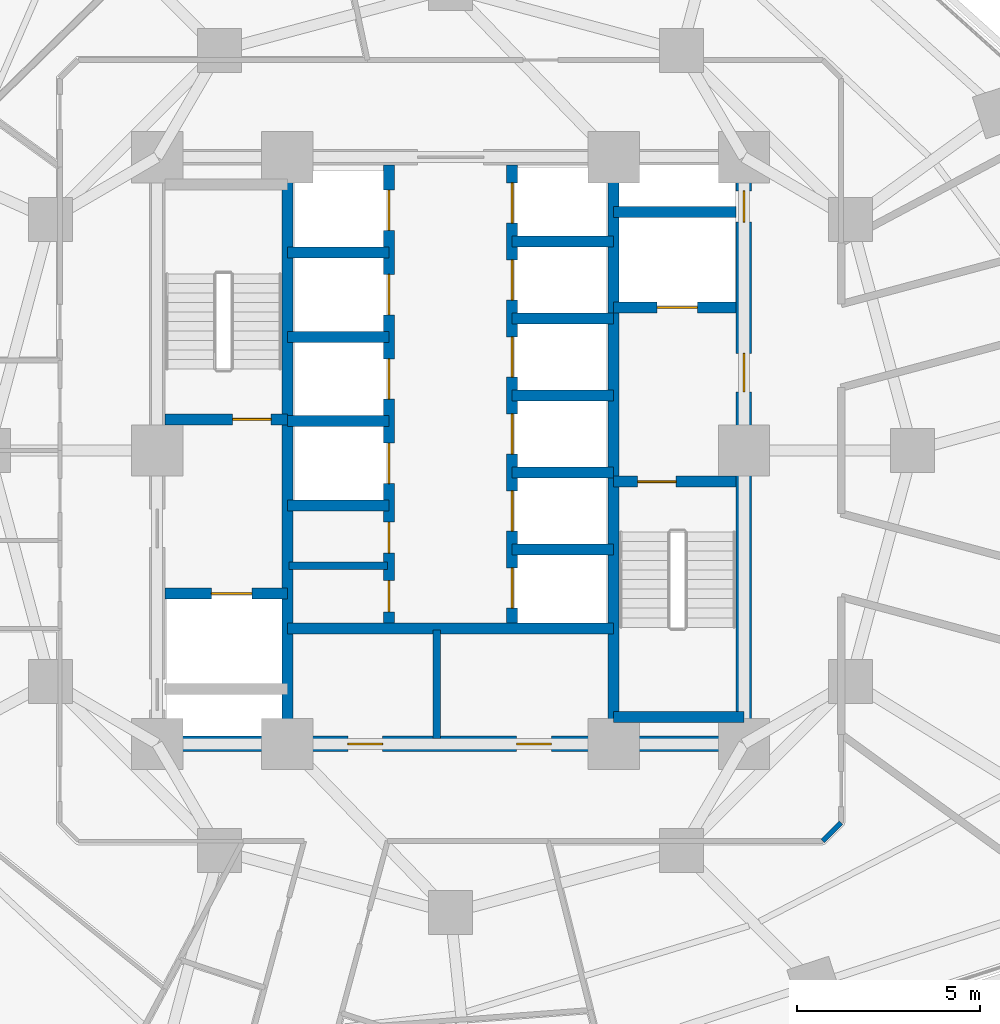
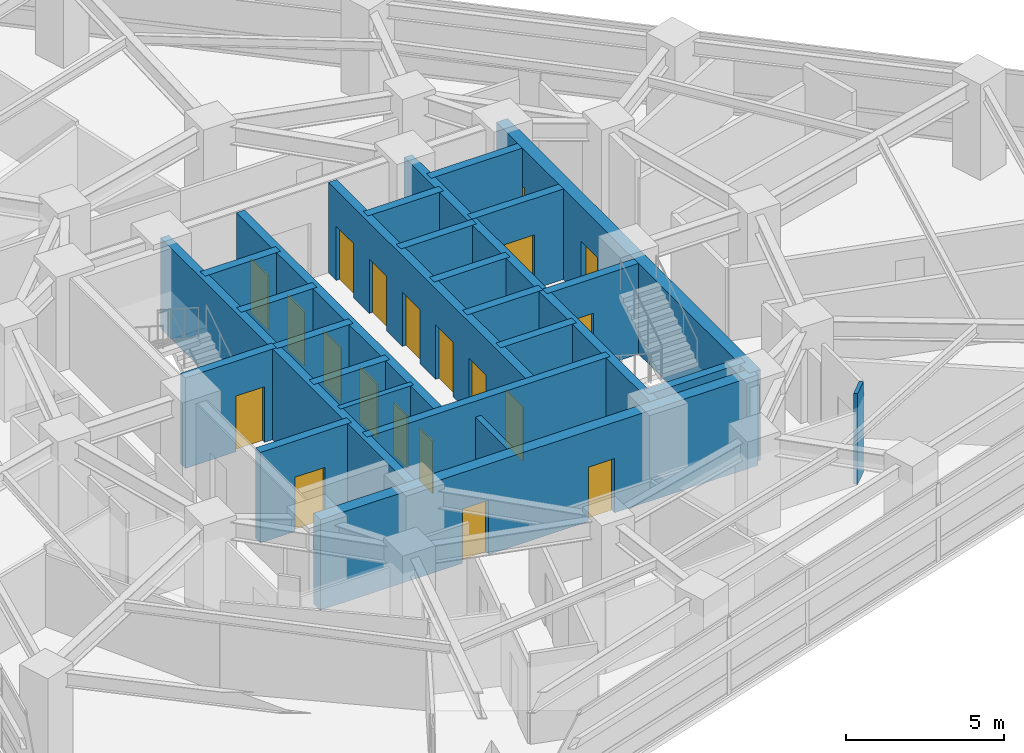
# One storey, part 8 of 14: 25 walls, 20 doors, 20 openings.
"""IFC4 building model written with IfcOpenShell, lengths in metres."""

import ifcopenshell
import ifcopenshell.guid

model = None  # the IFC model being written
_history = None  # IfcOwnerHistory: only IFC2X3 demands one
_inside = {}  # id of a spatial element -> (the spatial element, [elements in it])
_under = {}  # id of a project, library or spatial element -> (it, [spatial elements below it])
_declared = {}  # id of a project -> (the project, [libraries it declares])
_typed = {}  # id of a type object -> (the type object, [elements of that type])
_made_of = {}  # id of a material, layer set ... -> (it, [elements and type objects made of it])


def new_model(schema):
    """Start an empty IFC model of exactly this schema.

    Asked for "IFC4X3", IfcOpenShell would pick the latest addendum, in which some entities
    have other attributes; the version numbers below select the first issue.
    IFC2X3 requires an IfcOwnerHistory on every rooted entity: one is made here for all.
    """
    global model, _history
    if schema == "IFC4X3":
        model = ifcopenshell.file(schema_version=(4, 3, 0, 0))
    else:
        model = ifcopenshell.file(schema=schema)
    _inside.clear()
    _under.clear()
    _declared.clear()
    _typed.clear()
    _made_of.clear()
    _history = None
    if model.schema == "IFC2X3":
        org = make("IfcOrganization", Name="unknown")
        user = make(
            "IfcPersonAndOrganization",
            ThePerson=make("IfcPerson", FamilyName="unknown"),
            TheOrganization=org,
        )
        app = make(
            "IfcApplication",
            ApplicationDeveloper=org,
            Version="unknown",
            ApplicationFullName="unknown",
            ApplicationIdentifier="unknown",
        )
        _history = make(
            "IfcOwnerHistory",
            OwningUser=user,
            OwningApplication=app,
            ChangeAction="ADDED",
            CreationDate=0,
        )
    return model


def make(cls, **values):
    """One entity of the class cls with the attributes given. An attribute that is None is left unset."""
    return model.create_entity(
        cls, **{name: value for name, value in values.items() if value is not None}
    )


def rooted(cls, **values):
    """An entity with a GlobalId (a new one), such as an element, a storey or a relation."""
    return make(cls, GlobalId=ifcopenshell.guid.new(), OwnerHistory=_history, **values)


def si_unit(unit_type, name, prefix=None):
    """IfcSIUnit, for example si_unit("LENGTHUNIT", "METRE", prefix="MILLI")."""
    return make("IfcSIUnit", UnitType=unit_type, Prefix=prefix, Name=name)


def assignment(units):
    """IfcUnitAssignment: the units of a project."""
    return None if units is None else make("IfcUnitAssignment", Units=units)


def point(xyz):
    """IfcCartesianPoint."""
    return None if xyz is None else make("IfcCartesianPoint", Coordinates=xyz)


def direction(xyz):
    """IfcDirection."""
    return None if xyz is None else make("IfcDirection", DirectionRatios=xyz)


def frame(location, z_axis=None, x_axis=None):
    """IfcAxis2Placement3D, a coordinate frame: its origin and axes. An axis left out is left unset."""
    return make(
        "IfcAxis2Placement3D",
        Location=point(location),
        Axis=direction(z_axis),
        RefDirection=direction(x_axis),
    )


def frame_2d(location, x_axis=None):
    """IfcAxis2Placement2D, a coordinate frame in the plane: its origin and x axis."""
    return make(
        "IfcAxis2Placement2D", Location=point(location), RefDirection=direction(x_axis)
    )


def origin():
    """The frame at (0, 0, 0) with its axes left unset."""
    return frame((0.0, 0.0, 0.0))


def place(relative_to, where):
    """IfcLocalPlacement: puts the frame where relative to a parent placement (None: the world)."""
    return make(
        "IfcLocalPlacement", PlacementRelTo=relative_to, RelativePlacement=where
    )


def context(
    kind, dimensions, precision=None, world=None, true_north=None, identifier=None
):
    """IfcGeometricRepresentationContext, for example the 3D "Model" context."""
    return make(
        "IfcGeometricRepresentationContext",
        ContextIdentifier=identifier,
        ContextType=kind,
        CoordinateSpaceDimension=dimensions,
        Precision=precision,
        WorldCoordinateSystem=world,
        TrueNorth=true_north,
    )


def subcontext(parent, identifier, kind, view, scale=None):
    """IfcGeometricRepresentationSubContext, for example "Body" below "Model"."""
    return make(
        "IfcGeometricRepresentationSubContext",
        ContextIdentifier=identifier,
        ContextType=kind,
        ParentContext=parent,
        TargetScale=scale,
        TargetView=view,
    )


def project(units=None, contexts=None):
    """IfcProject with its units and contexts."""
    return rooted(
        "IfcProject",
        Name="project",
        RepresentationContexts=contexts,
        UnitsInContext=assignment(units),
    )


def spatial(cls, under=None, at=None, **own):
    """A site, building, storey or space (cls), placed at a placement, below another one or the project."""
    s = rooted(cls, ObjectPlacement=at, **own)
    if under is not None:
        _under.setdefault(under.id(), (under, []))[1].append(s)
    return s


def profile(cls, at=None, kind="AREA", **sizes):
    """A parametric profile (cls). Its sizes go by their IFC names, for example OverallWidth=200.0."""
    return make(cls, ProfileType=kind, Position=at, **sizes)


def rectangle(**sizes):
    """IfcRectangleProfileDef."""
    return profile("IfcRectangleProfileDef", **sizes)


def extrude(swept, where, along, depth):
    """IfcExtrudedAreaSolid: the profile swept, set in the frame where, extruded along a direction by depth."""
    return make(
        "IfcExtrudedAreaSolid",
        SweptArea=swept,
        Position=where,
        ExtrudedDirection=direction(along),
        Depth=depth,
    )


def shape(context_of_items, identifier, shape_type, items):
    """IfcShapeRepresentation: the items that make up one representation, for example the "Body"."""
    return make(
        "IfcShapeRepresentation",
        ContextOfItems=context_of_items,
        RepresentationIdentifier=identifier,
        RepresentationType=shape_type,
        Items=items,
    )


def material(Name=None, Category=None):
    """IfcMaterial."""
    return make("IfcMaterial", Name=Name, Category=Category)


def layer(
    of_material, thickness, ventilated=None, Name=None, Category=None, Priority=None
):
    """IfcMaterialLayer: one layer of a wall or slab, of a material (None: an air gap)."""
    return make(
        "IfcMaterialLayer",
        Material=of_material,
        LayerThickness=thickness,
        IsVentilated=ventilated,
        Name=Name,
        Category=Category,
        Priority=Priority,
    )


def layer_set(layers, Name=None):
    """IfcMaterialLayerSet."""
    return make("IfcMaterialLayerSet", MaterialLayers=layers, LayerSetName=Name)


def made_of(thing, what):
    """Note that an element or type object is made of a material, layer set ...; save() writes the relation."""
    if what is not None:
        _made_of.setdefault(what.id(), (what, []))[1].append(thing)
    return thing


def type_object(cls, material=None, **own):
    """A type object (cls), such as IfcWallType, which elements share."""
    return made_of(rooted(cls, **own), material)


def element(
    cls,
    number,
    at=None,
    inside=None,
    cuts=None,
    type_object=None,
    material=None,
    context=None,
    identifier="Body",
    shape_type=None,
    held_by="IfcProductDefinitionShape",
    body=None,
    shapes=None,
    **own,
):
    """One element of the class cls, such as IfcWall. Its Tag is "e" and its number.

    at: its placement. inside: the storey or other place that contains it. cuts: it is an
    opening in that element (IfcRelVoidsElement). A single representation is given by context,
    identifier, shape_type and body (its items); several are given by shapes. held_by: the class
    of the entity that holds the representations. save() writes the other relations.
    """
    e = rooted(cls, Tag="e%d" % number, ObjectPlacement=at, **own)
    if body is not None:
        shapes = [shape(context, identifier, shape_type, body)]
    if shapes is not None:
        e.Representation = make(held_by, Representations=shapes)
    if inside is not None:
        _inside.setdefault(inside.id(), (inside, []))[1].append(e)
    if cuts is not None:
        rooted(
            "IfcRelVoidsElement", RelatingBuildingElement=cuts, RelatedOpeningElement=e
        )
    if type_object is not None:
        _typed.setdefault(type_object.id(), (type_object, []))[1].append(e)
    return made_of(e, material)


def fill(opening, filler):
    """IfcRelFillsElement: the door or window that sits in an opening."""
    return rooted(
        "IfcRelFillsElement",
        RelatingOpeningElement=opening,
        RelatedBuildingElement=filler,
    )


def aggregate(whole, parts):
    """IfcRelAggregates: a whole, such as a stair, and the parts it consists of."""
    return rooted("IfcRelAggregates", RelatingObject=whole, RelatedObjects=parts)


def save(model, path):
    """Write the relations noted so far, then the file.

    IfcRelAggregates (storeys below a building ...), IfcRelContainedInSpatialStructure (elements
    in a storey), IfcRelDefinesByType, IfcRelAssociatesMaterial and IfcRelDeclares: one each for
    every whole, place, type object, material and project.
    """
    for whole, parts in _under.values():
        aggregate(whole, parts)
    for where, things in _inside.values():
        rooted(
            "IfcRelContainedInSpatialStructure",
            RelatedElements=things,
            RelatingStructure=where,
        )
    for kind, things in _typed.values():
        rooted("IfcRelDefinesByType", RelatedObjects=things, RelatingType=kind)
    for what, things in _made_of.values():
        rooted("IfcRelAssociatesMaterial", RelatedObjects=things, RelatingMaterial=what)
    for by, libraries in _declared.values():
        rooted("IfcRelDeclares", RelatingContext=by, RelatedDefinitions=libraries)
    model.write(path)


model = new_model("IFC4")

# Units and contexts
model_context = context("Model", 3, precision=1e-05, world=origin(), true_north=direction((0.0, 1.0)))
body_context = subcontext(model_context, "Body", "Model", "MODEL_VIEW")
ifc_project = project(units=[si_unit("LENGTHUNIT", "METRE"), si_unit("AREAUNIT", "SQUARE_METRE"), si_unit("VOLUMEUNIT", "CUBIC_METRE"), si_unit("PLANEANGLEUNIT", "RADIAN"), si_unit("MASSUNIT", "GRAM", prefix="KILO")], contexts=[model_context])

# Site, building, storey
site_placement = place(None, origin())
site = spatial("IfcSite", under=ifc_project, at=site_placement, CompositionType="ELEMENT")
building_placement = place(site_placement, origin())
building = spatial("IfcBuilding", under=site, at=building_placement, Name="Terralouvre Media Tower", CompositionType="ELEMENT")
storey_placement = place(building_placement, frame((0.0, 0.0, 97.699951171875)))
storey = spatial("IfcBuildingStorey", under=building, at=storey_placement, Name="L24", CompositionType="ELEMENT", Elevation=97.699951171875)

# Walls
ifc_material_1 = material(Name="Concrete C50/60", Category="concrete")
ifc_layer_1 = layer(ifc_material_1, 0.300048828125, Name="Core Internal Shaft Wall CW-300")
ifc_layer_set_1 = layer_set([ifc_layer_1], Name="Concrete C50/60")
wall_type_1 = type_object("IfcWallType", Name="Core Internal Shaft Wall CW-300", PredefinedType="SHEAR", material=ifc_layer_set_1)
for number, where, z_axis, x_axis, name in (
    (1, (-4.449951171875, -7.7900390625, 0.0), (0.0, 0.0, 1.0), (0.0, 1.0, 0.0), "L24 Core Shaft Wall SPW"),
    (2, (4.449951171875, -7.7900390625, 0.0), (0.0, 0.0, 1.0), (0.0, 1.0, 0.0), "L24 Core Shaft Wall SPE"),
):
    element("IfcWall", number, at=place(storey_placement, frame(where, z_axis=z_axis, x_axis=x_axis)), inside=storey, type_object=wall_type_1, Name=name, PredefinedType="SHEAR", context=body_context, shape_type="SweptSolid", body=[
        extrude(rectangle(XDim=15.580078125, YDim=0.300048828125, at=frame_2d((7.7900390625, 0.0))), origin(), (0.0, 0.0, 1.0), 3.5),
    ])

# Wall, opening, door
wall_1_placement = place(storey_placement, frame((-7.7900390625, 0.85009765625, 0.0), z_axis=(0.0, 0.0, 1.0), x_axis=(1.0, 0.0, 0.0)))
wall_1 = element("IfcWall", 3, at=wall_1_placement, inside=storey, type_object=wall_type_1, Name="L24 Core Shaft Wall ST1D", PredefinedType="SHEAR", context=body_context, shape_type="SweptSolid", body=[
    extrude(rectangle(XDim=3.340087890625, YDim=0.300048828125, at=frame_2d((1.669921875, 0.0))), origin(), (0.0, 0.0, 1.0), 3.5),
])
opening_1_placement = place(wall_1_placement, frame((1.85009765625, 0.0, 0.0)))
opening_1 = element("IfcOpeningElement", 4, at=opening_1_placement, cuts=wall_1, Name="Opening FD-01-105X215", PredefinedType="OPENING", context=body_context, shape_type="SweptSolid", body=[
    extrude(rectangle(XDim=1.050048828125, YDim=2.14990234375, at=frame_2d((0.52490234375, 1.074951171875))), frame((0.0, 0.159912109375, 0.0), z_axis=(0.0, -1.0, 0.0), x_axis=(1.0, 0.0, 0.0)), (0.0, 0.0, 1.0), 0.320068359375),
])
ifc_material_2 = material(Name="Galvanised steel fire-resisting leaf", Category="steel")
door_type_1 = type_object("IfcDoorType", Name="Stair and Firefighting Lobby Fire Door FD-01 (1050x2150)", OperationType="NOTDEFINED", PredefinedType="DOOR", material=ifc_material_2)
door_1_placement = place(opening_1_placement, origin())
door_1 = element("IfcDoor", 5, at=door_1_placement, inside=storey, type_object=door_type_1, Name="L24 ST-01 Exit Stair Door", OperationType="SINGLE_SWING_LEFT", OverallHeight=2.14990234375, OverallWidth=1.050048828125, PredefinedType="DOOR", context=body_context, shape_type="SweptSolid", body=[
    extrude(rectangle(XDim=1.050048828125, YDim=2.14990234375, at=frame_2d((0.52490234375, 1.074951171875))), frame((0.0, 0.02490234375, 0.0), z_axis=(0.0, -1.0, 0.0), x_axis=(1.0, 0.0, 0.0)), (0.0, 0.0, 1.0), 0.050048828125),
])
fill(opening_1, door_1)

wall_2_placement = place(storey_placement, frame((4.449951171875, -0.85009765625, 0.0), z_axis=(0.0, 0.0, 1.0), x_axis=(1.0, 0.0, 0.0)))
wall_2 = element("IfcWall", 6, at=wall_2_placement, inside=storey, type_object=wall_type_1, Name="L24 Core Shaft Wall ST2D", PredefinedType="SHEAR", context=body_context, shape_type="SweptSolid", body=[
    extrude(rectangle(XDim=3.340087890625, YDim=0.300048828125, at=frame_2d((1.669921875, 0.0))), origin(), (0.0, 0.0, 1.0), 3.5),
])
opening_2_placement = place(wall_2_placement, frame((0.64990234375, 0.0, 0.0)))
opening_2 = element("IfcOpeningElement", 7, at=opening_2_placement, cuts=wall_2, Name="Opening FD-01-105X215", PredefinedType="OPENING", context=body_context, shape_type="SweptSolid", body=[
    extrude(rectangle(XDim=1.050048828125, YDim=2.14990234375, at=frame_2d((0.52490234375, 1.074951171875))), frame((0.0, 0.159912109375, 0.0), z_axis=(0.0, -1.0, 0.0), x_axis=(1.0, 0.0, 0.0)), (0.0, 0.0, 1.0), 0.320068359375),
])
door_2_placement = place(opening_2_placement, origin())
door_2 = element("IfcDoor", 8, at=door_2_placement, inside=storey, type_object=door_type_1, Name="L24 ST-02 Exit Stair Door", OperationType="SINGLE_SWING_RIGHT", OverallHeight=2.14990234375, OverallWidth=1.050048828125, PredefinedType="DOOR", context=body_context, shape_type="SweptSolid", body=[
    extrude(rectangle(XDim=1.050048828125, YDim=2.14990234375, at=frame_2d((0.52490234375, 1.074951171875))), frame((0.0, 0.02490234375, 0.0), z_axis=(0.0, -1.0, 0.0), x_axis=(1.0, 0.0, 0.0)), (0.0, 0.0, 1.0), 0.050048828125),
])
fill(opening_2, door_2)

# Wall
wall_3_placement = place(storey_placement, frame((4.449951171875, -7.260009765625, 0.0), z_axis=(0.0, 0.0, 1.0), x_axis=(1.0, 0.0, 0.0)))
element("IfcWall", 9, at=wall_3_placement, inside=storey, type_object=wall_type_1, Name="L24 Core Shaft Wall ST2F", PredefinedType="SHEAR", context=body_context, shape_type="SweptSolid", body=[
    extrude(rectangle(XDim=3.550048828125, YDim=0.300048828125, at=frame_2d((1.77490234375, 0.0))), origin(), (0.0, 0.0, 1.0), 3.5),
])

# Wall, opening, door
wall_4_placement = place(storey_placement, frame((-7.7900390625, -3.89990234375, 0.0), z_axis=(0.0, 0.0, 1.0), x_axis=(1.0, 0.0, 0.0)))
wall_4 = element("IfcWall", 10, at=wall_4_placement, inside=storey, type_object=wall_type_1, Name="L24 Core Shaft Wall FF1N", PredefinedType="SHEAR", context=body_context, shape_type="SweptSolid", body=[
    extrude(rectangle(XDim=3.340087890625, YDim=0.300048828125, at=frame_2d((1.669921875, 0.0))), origin(), (0.0, 0.0, 1.0), 3.5),
])
opening_3_placement = place(wall_4_placement, frame((1.27001953125, 0.0, 0.0)))
opening_3 = element("IfcOpeningElement", 11, at=opening_3_placement, cuts=wall_4, Name="Opening LD-FF", PredefinedType="OPENING", context=body_context, shape_type="SweptSolid", body=[
    extrude(rectangle(XDim=1.10009765625, YDim=2.10009765625, at=frame_2d((0.550048828125, 1.050048828125))), frame((0.0, 0.159912109375, 0.0), z_axis=(0.0, -1.0, 0.0), x_axis=(1.0, 0.0, 0.0)), (0.0, 0.0, 1.0), 0.320068359375),
])
ifc_material_3 = material(Name="Stainless steel 316 handrail and balustrade", Category="steel")
door_type_2 = type_object("IfcDoorType", Name="Firefighting Lift Sliding Landing Door LD-FF", OperationType="SLIDING_TO_LEFT", PredefinedType="DOOR", material=ifc_material_3)
door_3_placement = place(opening_3_placement, origin())
door_3 = element("IfcDoor", 12, at=door_3_placement, inside=storey, type_object=door_type_2, Name="L24 Firefighting Lift FFL-01 Landing Door", OperationType="SLIDING_TO_LEFT", OverallHeight=2.10009765625, OverallWidth=1.10009765625, PredefinedType="DOOR", context=body_context, shape_type="SweptSolid", body=[
    extrude(rectangle(XDim=1.10009765625, YDim=2.10009765625, at=frame_2d((0.550048828125, 1.050048828125))), frame((0.0, 0.02490234375, 0.0), z_axis=(0.0, -1.0, 0.0), x_axis=(1.0, 0.0, 0.0)), (0.0, 0.0, 1.0), 0.050048828125),
])
fill(opening_3, door_3)

wall_5_placement = place(storey_placement, frame((4.449951171875, 3.89990234375, 0.0), z_axis=(0.0, 0.0, 1.0), x_axis=(1.0, 0.0, 0.0)))
wall_5 = element("IfcWall", 13, at=wall_5_placement, inside=storey, type_object=wall_type_1, Name="L24 Core Shaft Wall FF2S", PredefinedType="SHEAR", context=body_context, shape_type="SweptSolid", body=[
    extrude(rectangle(XDim=3.340087890625, YDim=0.300048828125, at=frame_2d((1.669921875, 0.0))), origin(), (0.0, 0.0, 1.0), 3.5),
])
opening_4_placement = place(wall_5_placement, frame((1.179931640625, 0.0, 0.0)))
opening_4 = element("IfcOpeningElement", 14, at=opening_4_placement, cuts=wall_5, Name="Opening LD-FF", PredefinedType="OPENING", context=body_context, shape_type="SweptSolid", body=[
    extrude(rectangle(XDim=1.10009765625, YDim=2.10009765625, at=frame_2d((0.550048828125, 1.050048828125))), frame((0.0, 0.159912109375, 0.0), z_axis=(0.0, -1.0, 0.0), x_axis=(1.0, 0.0, 0.0)), (0.0, 0.0, 1.0), 0.320068359375),
])
door_4_placement = place(opening_4_placement, origin())
door_4 = element("IfcDoor", 15, at=door_4_placement, inside=storey, type_object=door_type_2, Name="L24 Firefighting Lift FFL-02 Landing Door", OperationType="SLIDING_TO_LEFT", OverallHeight=2.10009765625, OverallWidth=1.10009765625, PredefinedType="DOOR", context=body_context, shape_type="SweptSolid", body=[
    extrude(rectangle(XDim=1.10009765625, YDim=2.10009765625, at=frame_2d((0.550048828125, 1.050048828125))), frame((0.0, 0.02490234375, 0.0), z_axis=(0.0, -1.0, 0.0), x_axis=(1.0, 0.0, 0.0)), (0.0, 0.0, 1.0), 0.050048828125),
])
fill(opening_4, door_4)

# Walls
wall_6_placement = place(storey_placement, frame((4.449951171875, 6.5, 0.0), z_axis=(0.0, 0.0, 1.0), x_axis=(1.0, 0.0, 0.0)))
element("IfcWall", 16, at=wall_6_placement, inside=storey, type_object=wall_type_1, Name="L24 Core Shaft Wall FF2N", PredefinedType="SHEAR", context=body_context, shape_type="SweptSolid", body=[
    extrude(rectangle(XDim=3.340087890625, YDim=0.300048828125, at=frame_2d((1.669921875, 0.0))), origin(), (0.0, 0.0, 1.0), 3.5),
])
wall_7_placement = place(storey_placement, frame((-4.449951171875, -4.85009765625, 0.0), z_axis=(0.0, 0.0, 1.0), x_axis=(1.0, 0.0, 0.0)))
element("IfcWall", 17, at=wall_7_placement, inside=storey, type_object=wall_type_1, Name="L24 Core Shaft Wall CSBN", PredefinedType="SHEAR", context=body_context, shape_type="SweptSolid", body=[
    extrude(rectangle(XDim=8.89990234375, YDim=0.300048828125, at=frame_2d((4.449951171875, 0.0))), origin(), (0.0, 0.0, 1.0), 3.5),
])

# Wall, openings, doors
wall_8_placement = place(storey_placement, frame((-1.679931640625, -4.85009765625, 0.0), z_axis=(0.0, 0.0, 1.0), x_axis=(0.0, 1.0, 0.0)))
wall_8 = element("IfcWall", 18, at=wall_8_placement, inside=storey, type_object=wall_type_1, Name="L24 Core Shaft Wall LBW", PredefinedType="SHEAR", context=body_context, shape_type="SweptSolid", body=[
    extrude(rectangle(XDim=12.64013671875, YDim=0.300048828125, at=frame_2d((6.320068359375, 0.0))), origin(), (0.0, 0.0, 1.0), 3.5),
])
opening_5_placement = place(wall_8_placement, frame((3.949951171875, 0.0, 0.0)))
opening_5 = element("IfcOpeningElement", 19, at=opening_5_placement, cuts=wall_8, Name="Opening LD-PL", PredefinedType="OPENING", context=body_context, shape_type="SweptSolid", body=[
    extrude(rectangle(XDim=1.10009765625, YDim=2.10009765625, at=frame_2d((0.550048828125, 1.050048828125))), frame((0.0, 0.159912109375, 0.0), z_axis=(0.0, -1.0, 0.0), x_axis=(1.0, 0.0, 0.0)), (0.0, 0.0, 1.0), 0.320068359375),
])
opening_6_placement = place(wall_8_placement, frame((6.25, 0.0, 0.0)))
opening_6 = element("IfcOpeningElement", 20, at=opening_6_placement, cuts=wall_8, Name="Opening LD-PL", PredefinedType="OPENING", context=body_context, shape_type="SweptSolid", body=[
    extrude(rectangle(XDim=1.10009765625, YDim=2.10009765625, at=frame_2d((0.550048828125, 1.050048828125))), frame((0.0, 0.159912109375, 0.0), z_axis=(0.0, -1.0, 0.0), x_axis=(1.0, 0.0, 0.0)), (0.0, 0.0, 1.0), 0.320068359375),
])
opening_7_placement = place(wall_8_placement, frame((8.550048828125, 0.0, 0.0)))
opening_7 = element("IfcOpeningElement", 21, at=opening_7_placement, cuts=wall_8, Name="Opening LD-PL", PredefinedType="OPENING", context=body_context, shape_type="SweptSolid", body=[
    extrude(rectangle(XDim=1.10009765625, YDim=2.10009765625, at=frame_2d((0.550048828125, 1.050048828125))), frame((0.0, 0.159912109375, 0.0), z_axis=(0.0, -1.0, 0.0), x_axis=(1.0, 0.0, 0.0)), (0.0, 0.0, 1.0), 0.320068359375),
])
opening_8_placement = place(wall_8_placement, frame((10.85009765625, 0.0, 0.0)))
opening_8 = element("IfcOpeningElement", 22, at=opening_8_placement, cuts=wall_8, Name="Opening LD-PL", PredefinedType="OPENING", context=body_context, shape_type="SweptSolid", body=[
    extrude(rectangle(XDim=1.10009765625, YDim=2.10009765625, at=frame_2d((0.550048828125, 1.050048828125))), frame((0.0, 0.159912109375, 0.0), z_axis=(0.0, -1.0, 0.0), x_axis=(1.0, 0.0, 0.0)), (0.0, 0.0, 1.0), 0.320068359375),
])
opening_9_placement = place(wall_8_placement, frame((0.449951171875, 0.0, 0.0)))
opening_9 = element("IfcOpeningElement", 23, at=opening_9_placement, cuts=wall_8, Name="Opening TD-R1", PredefinedType="OPENING", context=body_context, shape_type="SweptSolid", body=[
    extrude(rectangle(XDim=0.85009765625, YDim=2.02001953125, at=frame_2d((0.425048828125, 1.010009765625))), frame((0.0, 0.159912109375, 0.0), z_axis=(0.0, -1.0, 0.0), x_axis=(1.0, 0.0, 0.0)), (0.0, 0.0, 1.0), 0.320068359375),
])
opening_10_placement = place(wall_8_placement, frame((2.050048828125, 0.0, 0.0)))
opening_10 = element("IfcOpeningElement", 24, at=opening_10_placement, cuts=wall_8, Name="Opening TD-R1", PredefinedType="OPENING", context=body_context, shape_type="SweptSolid", body=[
    extrude(rectangle(XDim=0.85009765625, YDim=2.02001953125, at=frame_2d((0.425048828125, 1.010009765625))), frame((0.0, 0.159912109375, 0.0), z_axis=(0.0, -1.0, 0.0), x_axis=(1.0, 0.0, 0.0)), (0.0, 0.0, 1.0), 0.320068359375),
])
ifc_material_4 = material(Name="Stainless steel 316 handrail and balustrade", Category="steel")
door_type_3 = type_object("IfcDoorType", Name="Passenger Lift Sliding Landing Door LD-PL", OperationType="SLIDING_TO_LEFT", PredefinedType="DOOR", material=ifc_material_4)
door_5_placement = place(opening_5_placement, origin())
door_5 = element("IfcDoor", 25, at=door_5_placement, inside=storey, type_object=door_type_3, Name="L24 Low-Rise Lift PL-L1 Landing Door", OperationType="SLIDING_TO_LEFT", OverallHeight=2.10009765625, OverallWidth=1.10009765625, PredefinedType="DOOR", context=body_context, shape_type="SweptSolid", body=[
    extrude(rectangle(XDim=1.10009765625, YDim=2.10009765625, at=frame_2d((0.550048828125, 1.050048828125))), frame((0.0, 0.02490234375, 0.0), z_axis=(0.0, -1.0, 0.0), x_axis=(1.0, 0.0, 0.0)), (0.0, 0.0, 1.0), 0.050048828125),
])
fill(opening_5, door_5)
door_6_placement = place(opening_6_placement, origin())
door_6 = element("IfcDoor", 26, at=door_6_placement, inside=storey, type_object=door_type_3, Name="L24 Low-Rise Lift PL-L2 Landing Door", OperationType="SLIDING_TO_LEFT", OverallHeight=2.10009765625, OverallWidth=1.10009765625, PredefinedType="DOOR", context=body_context, shape_type="SweptSolid", body=[
    extrude(rectangle(XDim=1.10009765625, YDim=2.10009765625, at=frame_2d((0.550048828125, 1.050048828125))), frame((0.0, 0.02490234375, 0.0), z_axis=(0.0, -1.0, 0.0), x_axis=(1.0, 0.0, 0.0)), (0.0, 0.0, 1.0), 0.050048828125),
])
fill(opening_6, door_6)
door_7_placement = place(opening_7_placement, origin())
door_7 = element("IfcDoor", 27, at=door_7_placement, inside=storey, type_object=door_type_3, Name="L24 Low-Rise Lift PL-L3 Landing Door", OperationType="SLIDING_TO_LEFT", OverallHeight=2.10009765625, OverallWidth=1.10009765625, PredefinedType="DOOR", context=body_context, shape_type="SweptSolid", body=[
    extrude(rectangle(XDim=1.10009765625, YDim=2.10009765625, at=frame_2d((0.550048828125, 1.050048828125))), frame((0.0, 0.02490234375, 0.0), z_axis=(0.0, -1.0, 0.0), x_axis=(1.0, 0.0, 0.0)), (0.0, 0.0, 1.0), 0.050048828125),
])
fill(opening_7, door_7)
door_8_placement = place(opening_8_placement, origin())
door_8 = element("IfcDoor", 28, at=door_8_placement, inside=storey, type_object=door_type_3, Name="L24 Low-Rise Lift PL-L4 Landing Door", OperationType="SLIDING_TO_LEFT", OverallHeight=2.10009765625, OverallWidth=1.10009765625, PredefinedType="DOOR", context=body_context, shape_type="SweptSolid", body=[
    extrude(rectangle(XDim=1.10009765625, YDim=2.10009765625, at=frame_2d((0.550048828125, 1.050048828125))), frame((0.0, 0.02490234375, 0.0), z_axis=(0.0, -1.0, 0.0), x_axis=(1.0, 0.0, 0.0)), (0.0, 0.0, 1.0), 0.050048828125),
])
fill(opening_8, door_8)
ifc_material_5 = material(Name="Galvanised steel fire-resisting leaf", Category="steel")
door_type_4 = type_object("IfcDoorType", Name="Riser Inspection Access Trapdoor TD-R1", OperationType="NOTDEFINED", PredefinedType="TRAPDOOR", material=ifc_material_5)
door_9_placement = place(opening_9_placement, origin())
door_9 = element("IfcDoor", 29, at=door_9_placement, inside=storey, type_object=door_type_4, Name="L24 Core Cleaners Closet Door", OperationType="SINGLE_SWING_LEFT", OverallHeight=2.02001953125, OverallWidth=0.85009765625, PredefinedType="TRAPDOOR", context=body_context, shape_type="SweptSolid", body=[
    extrude(rectangle(XDim=0.85009765625, YDim=2.02001953125, at=frame_2d((0.425048828125, 1.010009765625))), frame((0.0, 0.02490234375, 0.0), z_axis=(0.0, -1.0, 0.0), x_axis=(1.0, 0.0, 0.0)), (0.0, 0.0, 1.0), 0.050048828125),
])
fill(opening_9, door_9)
door_10_placement = place(opening_10_placement, origin())
door_10 = element("IfcDoor", 30, at=door_10_placement, inside=storey, type_object=door_type_4, Name="L24 Core Metering Closet Door", OperationType="SINGLE_SWING_RIGHT", OverallHeight=2.02001953125, OverallWidth=0.85009765625, PredefinedType="TRAPDOOR", context=body_context, shape_type="SweptSolid", body=[
    extrude(rectangle(XDim=0.85009765625, YDim=2.02001953125, at=frame_2d((0.425048828125, 1.010009765625))), frame((0.0, 0.02490234375, 0.0), z_axis=(0.0, -1.0, 0.0), x_axis=(1.0, 0.0, 0.0)), (0.0, 0.0, 1.0), 0.050048828125),
])
fill(opening_10, door_10)

wall_9_placement = place(storey_placement, frame((1.679931640625, -4.85009765625, 0.0), z_axis=(0.0, 0.0, 1.0), x_axis=(0.0, 1.0, 0.0)))
wall_9 = element("IfcWall", 31, at=wall_9_placement, inside=storey, type_object=wall_type_1, Name="L24 Core Shaft Wall LBE", PredefinedType="SHEAR", context=body_context, shape_type="SweptSolid", body=[
    extrude(rectangle(XDim=12.64013671875, YDim=0.300048828125, at=frame_2d((6.320068359375, 0.0))), origin(), (0.0, 0.0, 1.0), 3.5),
])
opening_11_placement = place(wall_9_placement, frame((0.550048828125, 0.0, 0.0)))
opening_11 = element("IfcOpeningElement", 32, at=opening_11_placement, cuts=wall_9, Name="Opening LD-PL", PredefinedType="OPENING", context=body_context, shape_type="SweptSolid", body=[
    extrude(rectangle(XDim=1.10009765625, YDim=2.10009765625, at=frame_2d((0.550048828125, 1.050048828125))), frame((0.0, 0.159912109375, 0.0), z_axis=(0.0, -1.0, 0.0), x_axis=(1.0, 0.0, 0.0)), (0.0, 0.0, 1.0), 0.320068359375),
])
opening_12_placement = place(wall_9_placement, frame((2.64990234375, 0.0, 0.0)))
opening_12 = element("IfcOpeningElement", 33, at=opening_12_placement, cuts=wall_9, Name="Opening LD-PL", PredefinedType="OPENING", context=body_context, shape_type="SweptSolid", body=[
    extrude(rectangle(XDim=1.10009765625, YDim=2.10009765625, at=frame_2d((0.550048828125, 1.050048828125))), frame((0.0, 0.159912109375, 0.0), z_axis=(0.0, -1.0, 0.0), x_axis=(1.0, 0.0, 0.0)), (0.0, 0.0, 1.0), 0.320068359375),
])
opening_13_placement = place(wall_9_placement, frame((4.75, 0.0, 0.0)))
opening_13 = element("IfcOpeningElement", 34, at=opening_13_placement, cuts=wall_9, Name="Opening LD-PL", PredefinedType="OPENING", context=body_context, shape_type="SweptSolid", body=[
    extrude(rectangle(XDim=1.10009765625, YDim=2.10009765625, at=frame_2d((0.550048828125, 1.050048828125))), frame((0.0, 0.159912109375, 0.0), z_axis=(0.0, -1.0, 0.0), x_axis=(1.0, 0.0, 0.0)), (0.0, 0.0, 1.0), 0.320068359375),
])
opening_14_placement = place(wall_9_placement, frame((6.85009765625, 0.0, 0.0)))
opening_14 = element("IfcOpeningElement", 35, at=opening_14_placement, cuts=wall_9, Name="Opening LD-PL", PredefinedType="OPENING", context=body_context, shape_type="SweptSolid", body=[
    extrude(rectangle(XDim=1.10009765625, YDim=2.10009765625, at=frame_2d((0.550048828125, 1.050048828125))), frame((0.0, 0.159912109375, 0.0), z_axis=(0.0, -1.0, 0.0), x_axis=(1.0, 0.0, 0.0)), (0.0, 0.0, 1.0), 0.320068359375),
])
opening_15_placement = place(wall_9_placement, frame((8.949951171875, 0.0, 0.0)))
opening_15 = element("IfcOpeningElement", 36, at=opening_15_placement, cuts=wall_9, Name="Opening LD-PL", PredefinedType="OPENING", context=body_context, shape_type="SweptSolid", body=[
    extrude(rectangle(XDim=1.10009765625, YDim=2.10009765625, at=frame_2d((0.550048828125, 1.050048828125))), frame((0.0, 0.159912109375, 0.0), z_axis=(0.0, -1.0, 0.0), x_axis=(1.0, 0.0, 0.0)), (0.0, 0.0, 1.0), 0.320068359375),
])
opening_16_placement = place(wall_9_placement, frame((11.050048828125, 0.0, 0.0)))
opening_16 = element("IfcOpeningElement", 37, at=opening_16_placement, cuts=wall_9, Name="Opening LD-PL", PredefinedType="OPENING", context=body_context, shape_type="SweptSolid", body=[
    extrude(rectangle(XDim=1.10009765625, YDim=2.10009765625, at=frame_2d((0.550048828125, 1.050048828125))), frame((0.0, 0.159912109375, 0.0), z_axis=(0.0, -1.0, 0.0), x_axis=(1.0, 0.0, 0.0)), (0.0, 0.0, 1.0), 0.320068359375),
])
door_11_placement = place(opening_11_placement, origin())
door_11 = element("IfcDoor", 38, at=door_11_placement, inside=storey, type_object=door_type_3, Name="L24 High-Rise Lift PL-H1 Landing Door", OperationType="SLIDING_TO_LEFT", OverallHeight=2.10009765625, OverallWidth=1.10009765625, PredefinedType="DOOR", context=body_context, shape_type="SweptSolid", body=[
    extrude(rectangle(XDim=1.10009765625, YDim=2.10009765625, at=frame_2d((0.550048828125, 1.050048828125))), frame((0.0, 0.02490234375, 0.0), z_axis=(0.0, -1.0, 0.0), x_axis=(1.0, 0.0, 0.0)), (0.0, 0.0, 1.0), 0.050048828125),
])
fill(opening_11, door_11)
door_12_placement = place(opening_12_placement, origin())
door_12 = element("IfcDoor", 39, at=door_12_placement, inside=storey, type_object=door_type_3, Name="L24 High-Rise Lift PL-H2 Landing Door", OperationType="SLIDING_TO_LEFT", OverallHeight=2.10009765625, OverallWidth=1.10009765625, PredefinedType="DOOR", context=body_context, shape_type="SweptSolid", body=[
    extrude(rectangle(XDim=1.10009765625, YDim=2.10009765625, at=frame_2d((0.550048828125, 1.050048828125))), frame((0.0, 0.02490234375, 0.0), z_axis=(0.0, -1.0, 0.0), x_axis=(1.0, 0.0, 0.0)), (0.0, 0.0, 1.0), 0.050048828125),
])
fill(opening_12, door_12)
door_13_placement = place(opening_13_placement, origin())
door_13 = element("IfcDoor", 40, at=door_13_placement, inside=storey, type_object=door_type_3, Name="L24 High-Rise Lift PL-H3 Landing Door", OperationType="SLIDING_TO_LEFT", OverallHeight=2.10009765625, OverallWidth=1.10009765625, PredefinedType="DOOR", context=body_context, shape_type="SweptSolid", body=[
    extrude(rectangle(XDim=1.10009765625, YDim=2.10009765625, at=frame_2d((0.550048828125, 1.050048828125))), frame((0.0, 0.02490234375, 0.0), z_axis=(0.0, -1.0, 0.0), x_axis=(1.0, 0.0, 0.0)), (0.0, 0.0, 1.0), 0.050048828125),
])
fill(opening_13, door_13)
door_14_placement = place(opening_14_placement, origin())
door_14 = element("IfcDoor", 41, at=door_14_placement, inside=storey, type_object=door_type_3, Name="L24 Mid-Rise Lift PL-M1 Landing Door", OperationType="SLIDING_TO_LEFT", OverallHeight=2.10009765625, OverallWidth=1.10009765625, PredefinedType="DOOR", context=body_context, shape_type="SweptSolid", body=[
    extrude(rectangle(XDim=1.10009765625, YDim=2.10009765625, at=frame_2d((0.550048828125, 1.050048828125))), frame((0.0, 0.02490234375, 0.0), z_axis=(0.0, -1.0, 0.0), x_axis=(1.0, 0.0, 0.0)), (0.0, 0.0, 1.0), 0.050048828125),
])
fill(opening_14, door_14)
door_15_placement = place(opening_15_placement, origin())
door_15 = element("IfcDoor", 42, at=door_15_placement, inside=storey, type_object=door_type_3, Name="L24 Mid-Rise Lift PL-M2 Landing Door", OperationType="SLIDING_TO_LEFT", OverallHeight=2.10009765625, OverallWidth=1.10009765625, PredefinedType="DOOR", context=body_context, shape_type="SweptSolid", body=[
    extrude(rectangle(XDim=1.10009765625, YDim=2.10009765625, at=frame_2d((0.550048828125, 1.050048828125))), frame((0.0, 0.02490234375, 0.0), z_axis=(0.0, -1.0, 0.0), x_axis=(1.0, 0.0, 0.0)), (0.0, 0.0, 1.0), 0.050048828125),
])
fill(opening_15, door_15)
door_16_placement = place(opening_16_placement, origin())
door_16 = element("IfcDoor", 43, at=door_16_placement, inside=storey, type_object=door_type_3, Name="L24 Mid-Rise Lift PL-M3 Landing Door", OperationType="SLIDING_TO_LEFT", OverallHeight=2.10009765625, OverallWidth=1.10009765625, PredefinedType="DOOR", context=body_context, shape_type="SweptSolid", body=[
    extrude(rectangle(XDim=1.10009765625, YDim=2.10009765625, at=frame_2d((0.550048828125, 1.050048828125))), frame((0.0, 0.02490234375, 0.0), z_axis=(0.0, -1.0, 0.0), x_axis=(1.0, 0.0, 0.0)), (0.0, 0.0, 1.0), 0.050048828125),
])
fill(opening_16, door_16)

# Walls
for number, where, z_axis, x_axis, name in (
    (44, (-4.449951171875, -1.5, 0.0), (0.0, 0.0, 1.0), (1.0, 0.0, 0.0), "L24 Core Shaft Wall PLLD0"),
    (45, (-4.449951171875, 0.800048828125, 0.0), (0.0, 0.0, 1.0), (1.0, 0.0, 0.0), "L24 Core Shaft Wall PLLD1"),
    (46, (-4.449951171875, 3.10009765625, 0.0), (0.0, 0.0, 1.0), (1.0, 0.0, 0.0), "L24 Core Shaft Wall PLLD2"),
    (47, (-4.449951171875, 5.39990234375, 0.0), (0.0, 0.0, 1.0), (1.0, 0.0, 0.0), "L24 Core Shaft Wall PLLD3"),
    (48, (1.679931640625, 1.5, 0.0), (0.0, 0.0, 1.0), (1.0, 0.0, 0.0), "L24 Core Shaft Wall PLMD0"),
    (49, (1.679931640625, 3.60009765625, 0.0), (0.0, 0.0, 1.0), (1.0, 0.0, 0.0), "L24 Core Shaft Wall PLMD1"),
    (50, (1.679931640625, 5.699951171875, 0.0), (0.0, 0.0, 1.0), (1.0, 0.0, 0.0), "L24 Core Shaft Wall PLMD2"),
    (51, (1.679931640625, -2.699951171875, 0.0), (0.0, 0.0, 1.0), (1.0, 0.0, 0.0), "L24 Core Shaft Wall PLHD1"),
    (52, (1.679931640625, -0.60009765625, 0.0), (0.0, 0.0, 1.0), (1.0, 0.0, 0.0), "L24 Core Shaft Wall PLHD2"),
):
    element("IfcWall", number, at=place(storey_placement, frame(where, z_axis=z_axis, x_axis=x_axis)), inside=storey, type_object=wall_type_1, Name=name, PredefinedType="SHEAR", context=body_context, shape_type="SweptSolid", body=[
        extrude(rectangle(XDim=2.77001953125, YDim=0.300048828125, at=frame_2d((1.385009765625, 0.0))), origin(), (0.0, 0.0, 1.0), 3.5),
    ])

# Wall, openings, doors
ifc_material_6 = material(Name="Concrete C60/75", Category="concrete")
ifc_layer_2 = layer(ifc_material_6, 0.419921875, Name="Core Reinforced Concrete Shear Wall CW-420")
ifc_layer_set_2 = layer_set([ifc_layer_2], Name="Concrete C60/75")
wall_type_2 = type_object("IfcWallType", Name="Core Reinforced Concrete Shear Wall CW-420", PredefinedType="SHEAR", material=ifc_layer_set_2)
wall_10_placement = place(storey_placement, frame((8.0, -8.0, 0.0), z_axis=(0.0, 0.0, 1.0), x_axis=(0.0, 1.0, 0.0)))
wall_10 = element("IfcWall", 53, at=wall_10_placement, inside=storey, type_object=wall_type_2, Name="L24 E Core Shear Wall", PredefinedType="SHEAR", context=body_context, shape_type="SweptSolid", body=[
    extrude(rectangle(XDim=16.0, YDim=0.419921875, at=frame_2d((8.0, 0.0))), origin(), (0.0, 0.0, 1.0), 3.5),
])
opening_17_placement = place(wall_10_placement, frame((9.60009765625, 0.0, 0.0)))
opening_17 = element("IfcOpeningElement", 54, at=opening_17_placement, cuts=wall_10, Name="Opening FD-01-105X215", PredefinedType="OPENING", context=body_context, shape_type="SweptSolid", body=[
    extrude(rectangle(XDim=1.050048828125, YDim=2.14990234375, at=frame_2d((0.52490234375, 1.074951171875))), frame((0.0, 0.219970703125, 0.0), z_axis=(0.0, -1.0, 0.0), x_axis=(1.0, 0.0, 0.0)), (0.0, 0.0, 1.0), 0.43994140625),
])
opening_18_placement = place(wall_10_placement, frame((14.228515625, 0.0, 0.0)))
opening_18 = element("IfcOpeningElement", 55, at=opening_18_placement, cuts=wall_10, Name="Opening TD-R1", PredefinedType="OPENING", context=body_context, shape_type="SweptSolid", body=[
    extrude(rectangle(XDim=0.85009765625, YDim=2.02001953125, at=frame_2d((0.425048828125, 1.010009765625))), frame((0.0, 0.219970703125, 0.0), z_axis=(0.0, -1.0, 0.0), x_axis=(1.0, 0.0, 0.0)), (0.0, 0.0, 1.0), 0.43994140625),
])
door_17_placement = place(opening_18_placement, origin())
door_17 = element("IfcDoor", 56, at=door_17_placement, inside=storey, type_object=door_type_4, Name="L24 East Comms Riser Access Trapdoor", OperationType="SINGLE_SWING_RIGHT", OverallHeight=2.02001953125, OverallWidth=0.85009765625, PredefinedType="TRAPDOOR", context=body_context, shape_type="SweptSolid", body=[
    extrude(rectangle(XDim=0.85009765625, YDim=2.02001953125, at=frame_2d((0.425048828125, 1.010009765625))), frame((0.0, 0.02490234375, 0.0), z_axis=(0.0, -1.0, 0.0), x_axis=(1.0, 0.0, 0.0)), (0.0, 0.0, 1.0), 0.050048828125),
])
fill(opening_18, door_17)
door_18_placement = place(opening_17_placement, origin())
door_18 = element("IfcDoor", 57, at=door_18_placement, inside=storey, type_object=door_type_1, Name="L24 East Firefighting Lobby Entry Door", OperationType="SINGLE_SWING_LEFT", OverallHeight=2.14990234375, OverallWidth=1.050048828125, PredefinedType="DOOR", context=body_context, shape_type="SweptSolid", body=[
    extrude(rectangle(XDim=1.050048828125, YDim=2.14990234375, at=frame_2d((0.52490234375, 1.074951171875))), frame((0.0, 0.02490234375, 0.0), z_axis=(0.0, -1.0, 0.0), x_axis=(1.0, 0.0, 0.0)), (0.0, 0.0, 1.0), 0.050048828125),
])
fill(opening_17, door_18)

wall_11_placement = place(storey_placement, frame((-8.0, -8.0, 0.0), z_axis=(0.0, 0.0, 1.0), x_axis=(1.0, 0.0, 0.0)))
wall_11 = element("IfcWall", 58, at=wall_11_placement, inside=storey, type_object=wall_type_2, Name="L24 S Core Shear Wall", PredefinedType="SHEAR", context=body_context, shape_type="SweptSolid", body=[
    extrude(rectangle(XDim=16.0, YDim=0.419921875, at=frame_2d((8.0, 0.0))), origin(), (0.0, 0.0, 1.0), 3.5),
])
opening_19_placement = place(wall_11_placement, frame((5.199951171875, 0.0, 0.0)))
opening_19 = element("IfcOpeningElement", 59, at=opening_19_placement, cuts=wall_11, Name="Opening FD-02-95X210", PredefinedType="OPENING", context=body_context, shape_type="SweptSolid", body=[
    extrude(rectangle(XDim=0.949951171875, YDim=2.10009765625, at=frame_2d((0.47509765625, 1.050048828125))), frame((0.0, 0.219970703125, 0.0), z_axis=(0.0, -1.0, 0.0), x_axis=(1.0, 0.0, 0.0)), (0.0, 0.0, 1.0), 0.43994140625),
])
opening_20_placement = place(wall_11_placement, frame((9.800048828125, 0.0, 0.0)))
opening_20 = element("IfcOpeningElement", 60, at=opening_20_placement, cuts=wall_11, Name="Opening FD-02-95X210", PredefinedType="OPENING", context=body_context, shape_type="SweptSolid", body=[
    extrude(rectangle(XDim=0.949951171875, YDim=2.10009765625, at=frame_2d((0.47509765625, 1.050048828125))), frame((0.0, 0.219970703125, 0.0), z_axis=(0.0, -1.0, 0.0), x_axis=(1.0, 0.0, 0.0)), (0.0, 0.0, 1.0), 0.43994140625),
])
ifc_material_7 = material(Name="Galvanised steel fire-resisting leaf", Category="steel")
door_type_5 = type_object("IfcDoorType", Name="Plant and Riser Fire Door FD-02 (950x2100)", OperationType="NOTDEFINED", PredefinedType="DOOR", material=ifc_material_7)
door_19_placement = place(opening_19_placement, origin())
door_19 = element("IfcDoor", 61, at=door_19_placement, inside=storey, type_object=door_type_5, Name="L24 Core Valve Plant Door", OperationType="SINGLE_SWING_LEFT", OverallHeight=2.10009765625, OverallWidth=0.949951171875, PredefinedType="DOOR", context=body_context, shape_type="SweptSolid", body=[
    extrude(rectangle(XDim=0.949951171875, YDim=2.10009765625, at=frame_2d((0.47509765625, 1.050048828125))), frame((0.0, 0.02490234375, 0.0), z_axis=(0.0, -1.0, 0.0), x_axis=(1.0, 0.0, 0.0)), (0.0, 0.0, 1.0), 0.050048828125),
])
fill(opening_19, door_19)
door_20_placement = place(opening_20_placement, origin())
door_20 = element("IfcDoor", 62, at=door_20_placement, inside=storey, type_object=door_type_5, Name="L24 Core MDF Plant Door", OperationType="SINGLE_SWING_RIGHT", OverallHeight=2.10009765625, OverallWidth=0.949951171875, PredefinedType="DOOR", context=body_context, shape_type="SweptSolid", body=[
    extrude(rectangle(XDim=0.949951171875, YDim=2.10009765625, at=frame_2d((0.47509765625, 1.050048828125))), frame((0.0, 0.02490234375, 0.0), z_axis=(0.0, -1.0, 0.0), x_axis=(1.0, 0.0, 0.0)), (0.0, 0.0, 1.0), 0.050048828125),
])
fill(opening_20, door_20)

# Walls
ifc_material_8 = material(Name="Fire-rated gypsum board drywall partition")
ifc_layer_3 = layer(ifc_material_8, 0.199951171875, Name="Fire-Rated Shaft and Lobby Partition FW-200")
ifc_layer_set_3 = layer_set([ifc_layer_3], Name="Fire-rated gypsum board drywall partition")
wall_type_3 = type_object("IfcWallType", Name="Fire-Rated Shaft and Lobby Partition FW-200", PredefinedType="SOLIDWALL", material=ifc_layer_set_3)
wall_12_placement = place(storey_placement, frame((-0.3798828125, -7.85009765625, 0.0), z_axis=(0.0, 0.0, 1.0), x_axis=(0.0, 1.0, 0.0)))
element("IfcWall", 63, at=wall_12_placement, inside=storey, type_object=wall_type_3, Name="L24 Core Service Bay Partition 1", PredefinedType="SOLIDWALL", context=body_context, shape_type="SweptSolid", body=[
    extrude(rectangle(XDim=2.9501953125, YDim=0.199951171875, at=frame_2d((1.47509765625, 0.0))), origin(), (0.0, 0.0, 1.0), 2.885009765625),
])
wall_13_placement = place(storey_placement, frame((-4.39990234375, -3.139892578125, 0.0), z_axis=(0.0, 0.0, 1.0), x_axis=(1.0, 0.0, 0.0)))
element("IfcWall", 64, at=wall_13_placement, inside=storey, type_object=wall_type_3, Name="L24 Core West Sub-Partition 1", PredefinedType="SOLIDWALL", context=body_context, shape_type="SweptSolid", body=[
    extrude(rectangle(XDim=2.679931640625, YDim=0.199951171875, at=frame_2d((1.33984375, 0.0))), origin(), (0.0, 0.0, 1.0), 3.5),
])
ifc_material_9 = material(Name="Fire-rated gypsum board drywall partition")
ifc_layer_4 = layer(ifc_material_9, 0.135009765625, Name="Newsroom Acoustic Partition PT-135")
ifc_layer_set_4 = layer_set([ifc_layer_4], Name="Fire-rated gypsum board drywall partition")
wall_type_4 = type_object("IfcWallType", Name="Newsroom Acoustic Partition PT-135", PredefinedType="PARTITIONING", material=ifc_layer_set_4)
wall_14_placement = place(storey_placement, frame((10.14990234375, -10.64990234375, 0.0), z_axis=(0.0, 0.0, 1.0), x_axis=(0.707106781187, 0.707106781187, 0.0)))
element("IfcWall", 65, at=wall_14_placement, inside=storey, type_object=wall_type_4, Name="L24 Interior Partition 023", PredefinedType="PARTITIONING", context=body_context, shape_type="SweptSolid", body=[
    extrude(rectangle(XDim=0.70703125, YDim=0.135009765625, at=frame_2d((0.353515625, 0.0))), origin(), (0.0, 0.0, 1.0), 3.5),
])

save(model, "model.ifc")
